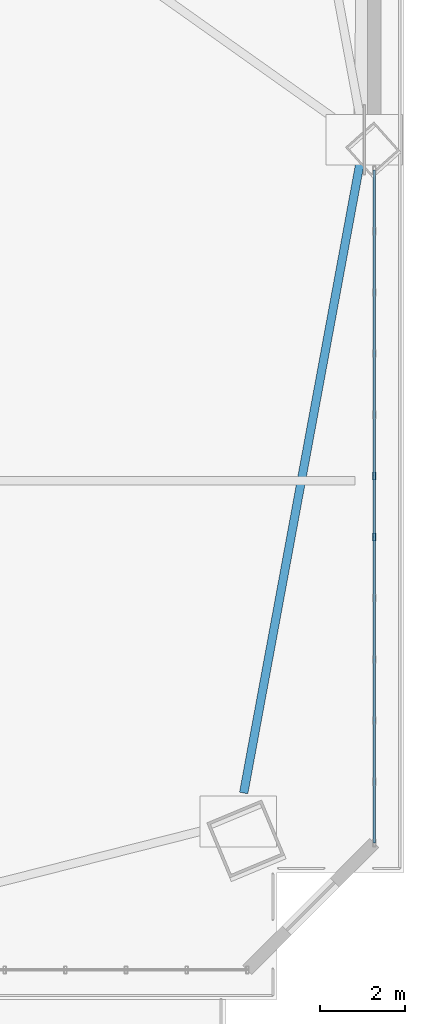
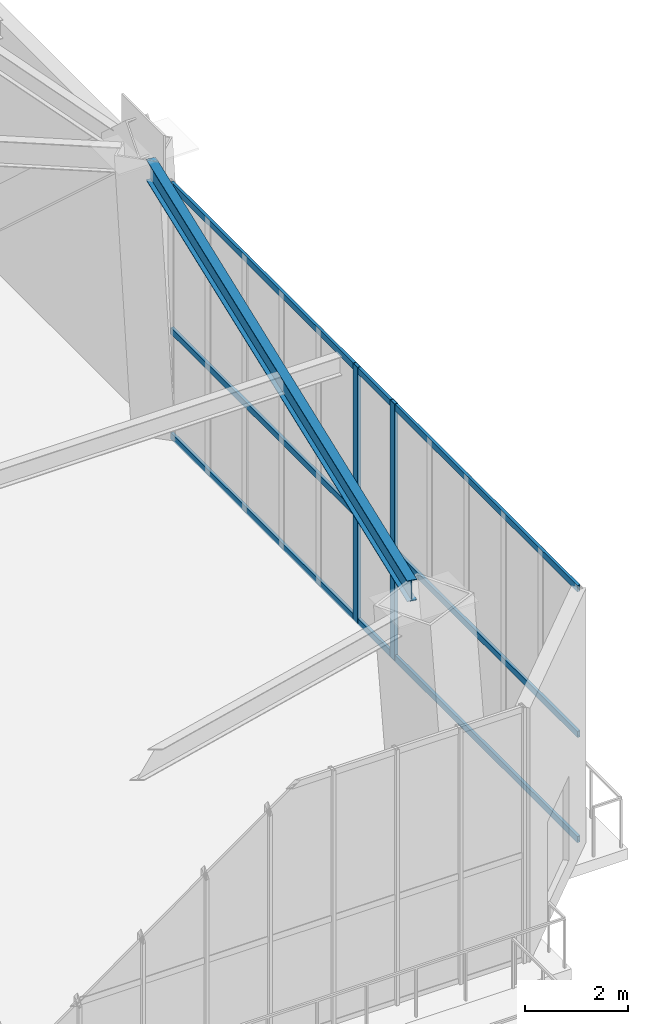
# One storey, part 9 of 22: 5 members, 1 beam, 1 element without a shape of its own.
"""IFC4 building model written with IfcOpenShell, lengths in metres."""

from ifc_helpers import new_model, si_unit, direction, frame, origin, origin_2d, place, context, subcontext, project, spatial, hollow_rectangle, i_section, extrude, source, transform, mapped, material, layer, layer_set, material_profile, profile_set, type_object, element, aggregate, save


model = new_model("IFC4")

# Units and contexts
model_context = context("Model", 3, precision=1e-05, world=origin(), true_north=direction((0.0, 1.0)))
body_context = subcontext(model_context, "Body", "Model", "MODEL_VIEW")
ifc_project = project(units=[si_unit("LENGTHUNIT", "METRE"), si_unit("AREAUNIT", "SQUARE_METRE"), si_unit("VOLUMEUNIT", "CUBIC_METRE"), si_unit("PLANEANGLEUNIT", "RADIAN"), si_unit("MASSUNIT", "GRAM", prefix="KILO")], contexts=[model_context])

# Site, building, storey
site_placement = place(None, origin())
site = spatial("IfcSite", under=ifc_project, at=site_placement, CompositionType="ELEMENT")
building_placement = place(site_placement, origin())
building = spatial("IfcBuilding", under=site, at=building_placement, Name="Giltprow Tower", CompositionType="ELEMENT")
storey_placement = place(building_placement, frame((0.0, 0.0, 130.89990234375)))
storey = spatial("IfcBuildingStorey", under=building, at=storey_placement, Name="L32", CompositionType="ELEMENT", Elevation=130.89990234375)

# Beam
ifc_material_1 = material(Name="Structural steel Q355B", Category="steel")
ifc_material_profile_1 = material_profile(ifc_material_1, i_section(OverallWidth=0.199951171875, OverallDepth=0.5, WebThickness=0.010009765625, FlangeThickness=0.01611328125, at=origin_2d()), Name="HN 500x200x10x16")
ifc_profile_set_1 = profile_set([ifc_material_profile_1], Name="Structural steel Q355B")
beam_type = type_object("IfcBeamType", Name="BM-SPAN-HN500", PredefinedType="SPANDREL", material=ifc_profile_set_1)
shared_shape_1 = source(origin(), body_context, "Body", "SweptSolid", [
    extrude(i_section(OverallWidth=0.199951171875, OverallDepth=0.5, WebThickness=0.010009765625, FlangeThickness=0.01611328125, at=origin_2d()), origin(), (0.0, 0.0, 1.0), 15.212890625),
])
beam_placement = place(storey_placement, frame((62.344970703125, 11.68408203125, 6.320068359375), z_axis=(0.181555358549, 0.983380725753, 0.0), x_axis=(-0.983380725753, 0.181555358549, 0.0)))
element("IfcBeam", 1, at=beam_placement, inside=storey, type_object=beam_type, Name="L32 Perimeter Spandrel Beam MC_SE-E_MID", PredefinedType="SPANDREL", context=body_context, shape_type="MappedRepresentation", body=[
    mapped(shared_shape_1, transform((0.0, 0.0, 0.0), x_axis=(1.0, 0.0, 0.0), y_axis=(0.0, 1.0, 0.0), z_axis=(0.0, 0.0, 1.0), scale=1.0)),
])

# Curtain wall, members
ifc_material_2 = material(Name="Anodized bronze", Category="metal")
ifc_layer = layer(ifc_material_2, 0.179931640625, Name="Anodized bronze")
ifc_layer_set = layer_set([ifc_layer], Name="Anodized bronze")
curtain_wall_type = type_object("IfcCurtainWallType", Name="CW-SKYGARDEN", PredefinedType="NOTDEFINED", material=ifc_layer_set)
curtain_wall_placement = place(storey_placement, origin())
curtain_wall = element("IfcCurtainWall", 2, at=curtain_wall_placement, inside=storey, type_object=curtain_wall_type, Name="L32 E Sky Garden Glazing", PredefinedType="NOTDEFINED")
ifc_material_profile_2 = material_profile(ifc_material_2, hollow_rectangle(XDim=0.074951171875, YDim=0.179931640625, WallThickness=0.008056640625, at=origin_2d()), Name="RHS 180x75x8")
ifc_profile_set_2 = profile_set([ifc_material_profile_2], Name="Anodized bronze")
member_type_1 = type_object("IfcMemberType", Name="CW-MULLION-180x75", PredefinedType="MULLION", material=ifc_profile_set_2)
shared_shape_2 = source(origin(), body_context, "Body", "SweptSolid", [
    extrude(hollow_rectangle(XDim=0.074951171875, YDim=0.179931640625, WallThickness=0.008056640625, at=origin_2d()), origin(), (0.0, 0.0, 1.0), 6.105224609375),
])
member_1_placement = place(storey_placement, frame((65.4208984375, 17.714111328125, -0.02001953125), z_axis=(0.0, 0.0, 1.0), x_axis=(1.0, 0.0, 0.0)))
member_1 = element("IfcMember", 3, at=member_1_placement, type_object=member_type_1, Name="L32 E Sky Garden Glazing Mullion 6", PredefinedType="MULLION", context=body_context, shape_type="MappedRepresentation", body=[
    mapped(shared_shape_2, transform((0.0, 0.0, 0.0), x_axis=(1.0, 0.0, 0.0), y_axis=(0.0, 1.0, 0.0), z_axis=(0.0, 0.0, 1.0), scale=1.0)),
])
member_2_placement = place(storey_placement, frame((65.4208984375, 19.154052734375, -0.02001953125), z_axis=(0.0, 0.0, 1.0), x_axis=(1.0, 0.0, 0.0)))
member_2 = element("IfcMember", 4, at=member_2_placement, type_object=member_type_1, Name="L32 E Sky Garden Glazing Mullion 7", PredefinedType="MULLION", context=body_context, shape_type="MappedRepresentation", body=[
    mapped(shared_shape_2, transform((0.0, 0.0, 0.0), x_axis=(1.0, 0.0, 0.0), y_axis=(0.0, 1.0, 0.0), z_axis=(0.0, 0.0, 1.0), scale=1.0)),
])
ifc_material_profile_3 = material_profile(ifc_material_2, hollow_rectangle(XDim=0.06494140625, YDim=0.14990234375, WallThickness=0.006103515625, at=origin_2d()), Name="RHS 150x65x6")
ifc_profile_set_3 = profile_set([ifc_material_profile_3], Name="Anodized bronze")
member_type_2 = type_object("IfcMemberType", Name="CW-TRANSOM-150x65", PredefinedType="USERDEFINED", material=ifc_profile_set_3)
shared_shape_3 = source(origin(), body_context, "Body", "SweptSolid", [
    extrude(hollow_rectangle(XDim=0.06494140625, YDim=0.14990234375, WallThickness=0.006103515625, at=origin_2d()), origin(), (0.0, 0.0, 1.0), 15.849853515625),
])
member_3_placement = place(storey_placement, frame((65.4208984375, 10.509033203125, 0.0400390625), z_axis=(0.0, 1.0, 0.0), x_axis=(-1.0, 0.0, 0.0)))
member_3 = element("IfcMember", 5, at=member_3_placement, type_object=member_type_2, Name="L32 E Sky Garden Glazing Transom 1", ObjectType="TRANSOM", PredefinedType="USERDEFINED", context=body_context, shape_type="MappedRepresentation", body=[
    mapped(shared_shape_3, transform((0.0, 0.0, 0.0), x_axis=(1.0, 0.0, 0.0), y_axis=(0.0, 1.0, 0.0), z_axis=(0.0, 0.0, 1.0), scale=1.0)),
])
member_4_placement = place(storey_placement, frame((65.4208984375, 10.509033203125, 2.541015625), z_axis=(0.0, 1.0, 0.0), x_axis=(-1.0, 0.0, 0.0)))
member_4 = element("IfcMember", 6, at=member_4_placement, type_object=member_type_2, Name="L32 E Sky Garden Glazing Transom 2", ObjectType="TRANSOM", PredefinedType="USERDEFINED", context=body_context, shape_type="MappedRepresentation", body=[
    mapped(shared_shape_3, transform((0.0, 0.0, 0.0), x_axis=(1.0, 0.0, 0.0), y_axis=(0.0, 1.0, 0.0), z_axis=(0.0, 0.0, 1.0), scale=1.0)),
])
member_5_placement = place(storey_placement, frame((65.4208984375, 10.509033203125, 6.010009765625), z_axis=(0.0, 1.0, 0.0), x_axis=(-1.0, 0.0, 0.0)))
member_5 = element("IfcMember", 7, at=member_5_placement, type_object=member_type_2, Name="L32 E Sky Garden Glazing Transom 3", ObjectType="TRANSOM", PredefinedType="USERDEFINED", context=body_context, shape_type="MappedRepresentation", body=[
    mapped(shared_shape_3, transform((0.0, 0.0, 0.0), x_axis=(1.0, 0.0, 0.0), y_axis=(0.0, 1.0, 0.0), z_axis=(0.0, 0.0, 1.0), scale=1.0)),
])
aggregate(curtain_wall, [member_1, member_2, member_3, member_4, member_5])

save(model, "model.ifc")
